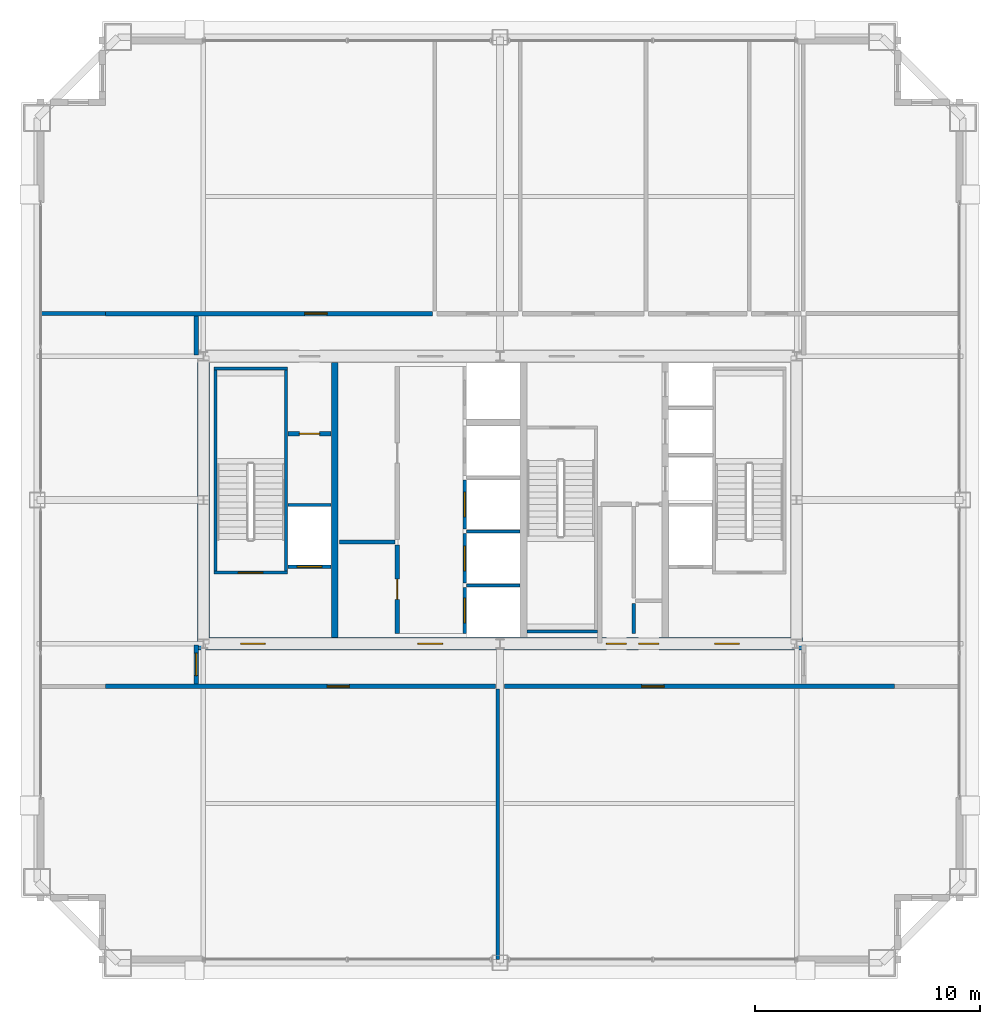
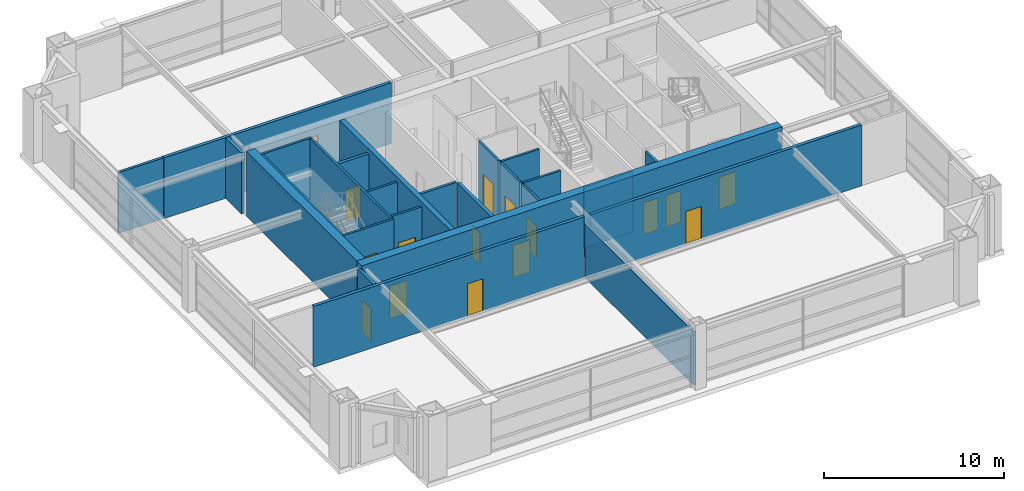
# One storey, part 23 of 26: 26 walls, 16 doors, 16 openings.
"""IFC4 building model written with IfcOpenShell, lengths in metres."""

import ifcopenshell
import ifcopenshell.guid

model = None  # the IFC model being written
_history = None  # IfcOwnerHistory: only IFC2X3 demands one
_inside = {}  # id of a spatial element -> (the spatial element, [elements in it])
_under = {}  # id of a project, library or spatial element -> (it, [spatial elements below it])
_declared = {}  # id of a project -> (the project, [libraries it declares])
_typed = {}  # id of a type object -> (the type object, [elements of that type])
_made_of = {}  # id of a material, layer set ... -> (it, [elements and type objects made of it])


def new_model(schema):
    """Start an empty IFC model of exactly this schema.

    Asked for "IFC4X3", IfcOpenShell would pick the latest addendum, in which some entities
    have other attributes; the version numbers below select the first issue.
    IFC2X3 requires an IfcOwnerHistory on every rooted entity: one is made here for all.
    """
    global model, _history
    if schema == "IFC4X3":
        model = ifcopenshell.file(schema_version=(4, 3, 0, 0))
    else:
        model = ifcopenshell.file(schema=schema)
    _inside.clear()
    _under.clear()
    _declared.clear()
    _typed.clear()
    _made_of.clear()
    _history = None
    if model.schema == "IFC2X3":
        org = make("IfcOrganization", Name="unknown")
        user = make(
            "IfcPersonAndOrganization",
            ThePerson=make("IfcPerson", FamilyName="unknown"),
            TheOrganization=org,
        )
        app = make(
            "IfcApplication",
            ApplicationDeveloper=org,
            Version="unknown",
            ApplicationFullName="unknown",
            ApplicationIdentifier="unknown",
        )
        _history = make(
            "IfcOwnerHistory",
            OwningUser=user,
            OwningApplication=app,
            ChangeAction="ADDED",
            CreationDate=0,
        )
    return model


def make(cls, **values):
    """One entity of the class cls with the attributes given. An attribute that is None is left unset."""
    return model.create_entity(
        cls, **{name: value for name, value in values.items() if value is not None}
    )


def rooted(cls, **values):
    """An entity with a GlobalId (a new one), such as an element, a storey or a relation."""
    return make(cls, GlobalId=ifcopenshell.guid.new(), OwnerHistory=_history, **values)


def si_unit(unit_type, name, prefix=None):
    """IfcSIUnit, for example si_unit("LENGTHUNIT", "METRE", prefix="MILLI")."""
    return make("IfcSIUnit", UnitType=unit_type, Prefix=prefix, Name=name)


def assignment(units):
    """IfcUnitAssignment: the units of a project."""
    return None if units is None else make("IfcUnitAssignment", Units=units)


def point(xyz):
    """IfcCartesianPoint."""
    return None if xyz is None else make("IfcCartesianPoint", Coordinates=xyz)


def direction(xyz):
    """IfcDirection."""
    return None if xyz is None else make("IfcDirection", DirectionRatios=xyz)


def frame(location, z_axis=None, x_axis=None):
    """IfcAxis2Placement3D, a coordinate frame: its origin and axes. An axis left out is left unset."""
    return make(
        "IfcAxis2Placement3D",
        Location=point(location),
        Axis=direction(z_axis),
        RefDirection=direction(x_axis),
    )


def frame_2d(location, x_axis=None):
    """IfcAxis2Placement2D, a coordinate frame in the plane: its origin and x axis."""
    return make(
        "IfcAxis2Placement2D", Location=point(location), RefDirection=direction(x_axis)
    )


def origin():
    """The frame at (0, 0, 0) with its axes left unset."""
    return frame((0.0, 0.0, 0.0))


def place(relative_to, where):
    """IfcLocalPlacement: puts the frame where relative to a parent placement (None: the world)."""
    return make(
        "IfcLocalPlacement", PlacementRelTo=relative_to, RelativePlacement=where
    )


def context(
    kind, dimensions, precision=None, world=None, true_north=None, identifier=None
):
    """IfcGeometricRepresentationContext, for example the 3D "Model" context."""
    return make(
        "IfcGeometricRepresentationContext",
        ContextIdentifier=identifier,
        ContextType=kind,
        CoordinateSpaceDimension=dimensions,
        Precision=precision,
        WorldCoordinateSystem=world,
        TrueNorth=true_north,
    )


def subcontext(parent, identifier, kind, view, scale=None):
    """IfcGeometricRepresentationSubContext, for example "Body" below "Model"."""
    return make(
        "IfcGeometricRepresentationSubContext",
        ContextIdentifier=identifier,
        ContextType=kind,
        ParentContext=parent,
        TargetScale=scale,
        TargetView=view,
    )


def project(units=None, contexts=None):
    """IfcProject with its units and contexts."""
    return rooted(
        "IfcProject",
        Name="project",
        RepresentationContexts=contexts,
        UnitsInContext=assignment(units),
    )


def spatial(cls, under=None, at=None, **own):
    """A site, building, storey or space (cls), placed at a placement, below another one or the project."""
    s = rooted(cls, ObjectPlacement=at, **own)
    if under is not None:
        _under.setdefault(under.id(), (under, []))[1].append(s)
    return s


def profile(cls, at=None, kind="AREA", **sizes):
    """A parametric profile (cls). Its sizes go by their IFC names, for example OverallWidth=200.0."""
    return make(cls, ProfileType=kind, Position=at, **sizes)


def rectangle(**sizes):
    """IfcRectangleProfileDef."""
    return profile("IfcRectangleProfileDef", **sizes)


def extrude(swept, where, along, depth):
    """IfcExtrudedAreaSolid: the profile swept, set in the frame where, extruded along a direction by depth."""
    return make(
        "IfcExtrudedAreaSolid",
        SweptArea=swept,
        Position=where,
        ExtrudedDirection=direction(along),
        Depth=depth,
    )


def shape(context_of_items, identifier, shape_type, items):
    """IfcShapeRepresentation: the items that make up one representation, for example the "Body"."""
    return make(
        "IfcShapeRepresentation",
        ContextOfItems=context_of_items,
        RepresentationIdentifier=identifier,
        RepresentationType=shape_type,
        Items=items,
    )


def source(mapping_origin, context_of_items, identifier, shape_type, items):
    """IfcRepresentationMap: a shape defined once, which mapped items show again and again."""
    return make(
        "IfcRepresentationMap",
        MappingOrigin=mapping_origin,
        MappedRepresentation=shape(context_of_items, identifier, shape_type, items),
    )


def transform(
    local_origin,
    x_axis=None,
    y_axis=None,
    z_axis=None,
    scale=None,
    scale2=None,
    scale3=None,
    uniform=True,
):
    """IfcCartesianTransformationOperator3D, or its non-uniform kind. x_axis, y_axis, z_axis: its Axis1, 2, 3."""
    if uniform:
        return make(
            "IfcCartesianTransformationOperator3D",
            Axis1=direction(x_axis),
            Axis2=direction(y_axis),
            LocalOrigin=point(local_origin),
            Scale=scale,
            Axis3=direction(z_axis),
        )
    return make(
        "IfcCartesianTransformationOperator3DnonUniform",
        Axis1=direction(x_axis),
        Axis2=direction(y_axis),
        LocalOrigin=point(local_origin),
        Scale=scale,
        Axis3=direction(z_axis),
        Scale2=scale2,
        Scale3=scale3,
    )


def mapped(mapping_source, mapping_target):
    """IfcMappedItem: shows the shape of a source again, moved by a transform."""
    return make(
        "IfcMappedItem", MappingSource=mapping_source, MappingTarget=mapping_target
    )


def material(Name=None, Category=None):
    """IfcMaterial."""
    return make("IfcMaterial", Name=Name, Category=Category)


def layer(
    of_material, thickness, ventilated=None, Name=None, Category=None, Priority=None
):
    """IfcMaterialLayer: one layer of a wall or slab, of a material (None: an air gap)."""
    return make(
        "IfcMaterialLayer",
        Material=of_material,
        LayerThickness=thickness,
        IsVentilated=ventilated,
        Name=Name,
        Category=Category,
        Priority=Priority,
    )


def layer_set(layers, Name=None):
    """IfcMaterialLayerSet."""
    return make("IfcMaterialLayerSet", MaterialLayers=layers, LayerSetName=Name)


def made_of(thing, what):
    """Note that an element or type object is made of a material, layer set ...; save() writes the relation."""
    if what is not None:
        _made_of.setdefault(what.id(), (what, []))[1].append(thing)
    return thing


def type_object(cls, material=None, **own):
    """A type object (cls), such as IfcWallType, which elements share."""
    return made_of(rooted(cls, **own), material)


def element(
    cls,
    number,
    at=None,
    inside=None,
    cuts=None,
    type_object=None,
    material=None,
    context=None,
    identifier="Body",
    shape_type=None,
    held_by="IfcProductDefinitionShape",
    body=None,
    shapes=None,
    **own,
):
    """One element of the class cls, such as IfcWall. Its Tag is "e" and its number.

    at: its placement. inside: the storey or other place that contains it. cuts: it is an
    opening in that element (IfcRelVoidsElement). A single representation is given by context,
    identifier, shape_type and body (its items); several are given by shapes. held_by: the class
    of the entity that holds the representations. save() writes the other relations.
    """
    e = rooted(cls, Tag="e%d" % number, ObjectPlacement=at, **own)
    if body is not None:
        shapes = [shape(context, identifier, shape_type, body)]
    if shapes is not None:
        e.Representation = make(held_by, Representations=shapes)
    if inside is not None:
        _inside.setdefault(inside.id(), (inside, []))[1].append(e)
    if cuts is not None:
        rooted(
            "IfcRelVoidsElement", RelatingBuildingElement=cuts, RelatedOpeningElement=e
        )
    if type_object is not None:
        _typed.setdefault(type_object.id(), (type_object, []))[1].append(e)
    return made_of(e, material)


def fill(opening, filler):
    """IfcRelFillsElement: the door or window that sits in an opening."""
    return rooted(
        "IfcRelFillsElement",
        RelatingOpeningElement=opening,
        RelatedBuildingElement=filler,
    )


def aggregate(whole, parts):
    """IfcRelAggregates: a whole, such as a stair, and the parts it consists of."""
    return rooted("IfcRelAggregates", RelatingObject=whole, RelatedObjects=parts)


def save(model, path):
    """Write the relations noted so far, then the file.

    IfcRelAggregates (storeys below a building ...), IfcRelContainedInSpatialStructure (elements
    in a storey), IfcRelDefinesByType, IfcRelAssociatesMaterial and IfcRelDeclares: one each for
    every whole, place, type object, material and project.
    """
    for whole, parts in _under.values():
        aggregate(whole, parts)
    for where, things in _inside.values():
        rooted(
            "IfcRelContainedInSpatialStructure",
            RelatedElements=things,
            RelatingStructure=where,
        )
    for kind, things in _typed.values():
        rooted("IfcRelDefinesByType", RelatedObjects=things, RelatingType=kind)
    for what, things in _made_of.values():
        rooted("IfcRelAssociatesMaterial", RelatedObjects=things, RelatingMaterial=what)
    for by, libraries in _declared.values():
        rooted("IfcRelDeclares", RelatingContext=by, RelatedDefinitions=libraries)
    model.write(path)


model = new_model("IFC4")

# Units and contexts
model_context = context("Model", 3, precision=1e-05, world=origin(), true_north=direction((0.0, 1.0)))
body_context = subcontext(model_context, "Body", "Model", "MODEL_VIEW")
ifc_project = project(units=[si_unit("LENGTHUNIT", "METRE"), si_unit("AREAUNIT", "SQUARE_METRE"), si_unit("VOLUMEUNIT", "CUBIC_METRE"), si_unit("PLANEANGLEUNIT", "RADIAN"), si_unit("MASSUNIT", "GRAM", prefix="KILO"), si_unit("THERMODYNAMICTEMPERATUREUNIT", "KELVIN"), si_unit("POWERUNIT", "WATT")], contexts=[model_context])

# Site, building, storey
site_placement = place(None, origin())
site = spatial("IfcSite", under=ifc_project, at=site_placement, CompositionType="ELEMENT")
building_placement = place(site_placement, origin())
building = spatial("IfcBuilding", under=site, at=building_placement, Name="Yuzanri Waterfront Tower", CompositionType="ELEMENT")
storey_placement = place(building_placement, frame((0.0, 0.0, 259.10009765625)))
storey = spatial("IfcBuildingStorey", under=building, at=storey_placement, Name="L69", CompositionType="ELEMENT", Elevation=259.10009765625)

# Wall, openings, doors
ifc_material_1 = material(Name="Concrete C50", Category="concrete")
ifc_layer_1 = layer(ifc_material_1, 0.550048828125)
ifc_layer_set_1 = layer_set([ifc_layer_1], Name="Concrete C50")
wall_type_1 = type_object("IfcWallType", Name="Concrete C50 Upper-Mid Zone Core Shear Wall 550", PredefinedType="SHEAR", material=ifc_layer_set_1)
wall_1_placement = place(storey_placement, frame((23.52490234375, 19.39990234375, 0.0), z_axis=(0.0, 0.0, 1.0), x_axis=(1.0, 0.0, 0.0)))
wall_1 = element("IfcWall", 1, at=wall_1_placement, inside=storey, type_object=wall_type_1, Name="L69 Core South Shear Wall", PredefinedType="SHEAR", context=body_context, shape_type="SweptSolid", body=[
    extrude(rectangle(XDim=26.9501953125, YDim=0.550048828125, at=frame_2d((13.47509765625, 0.0))), origin(), (0.0, 0.0, 1.0), 4.39990234375),
])
opening_1_placement = place(wall_1_placement, frame((1.925048828125, 0.0, 0.0)))
opening_1 = element("IfcOpeningElement", 2, at=opening_1_placement, cuts=wall_1, Name="Opening FD-1100", PredefinedType="OPENING", context=body_context, shape_type="SweptSolid", body=[
    extrude(rectangle(XDim=1.10009765625, YDim=2.199951171875, at=frame_2d((0.550048828125, 1.10009765625))), frame((0.0, 0.2900390625, 0.0), z_axis=(0.0, -1.0, 0.0), x_axis=(1.0, 0.0, 0.0)), (0.0, 0.0, 1.0), 0.579833984375),
])
opening_2_placement = place(wall_1_placement, frame((9.824951171875, 0.0, 0.0)))
opening_2 = element("IfcOpeningElement", 3, at=opening_2_placement, cuts=wall_1, Name="Opening FD-1100", PredefinedType="OPENING", context=body_context, shape_type="SweptSolid", body=[
    extrude(rectangle(XDim=1.10009765625, YDim=2.199951171875, at=frame_2d((0.550048828125, 1.10009765625))), frame((0.0, 0.2900390625, 0.0), z_axis=(0.0, -1.0, 0.0), x_axis=(1.0, 0.0, 0.0)), (0.0, 0.0, 1.0), 0.579833984375),
])
opening_3_placement = place(wall_1_placement, frame((23.02490234375, 0.0, 0.0)))
opening_3 = element("IfcOpeningElement", 4, at=opening_3_placement, cuts=wall_1, Name="Opening FD-1100", PredefinedType="OPENING", context=body_context, shape_type="SweptSolid", body=[
    extrude(rectangle(XDim=1.10009765625, YDim=2.199951171875, at=frame_2d((0.550048828125, 1.10009765625))), frame((0.0, 0.2900390625, 0.0), z_axis=(0.0, -1.0, 0.0), x_axis=(1.0, 0.0, 0.0)), (0.0, 0.0, 1.0), 0.579833984375),
])
opening_4_placement = place(wall_1_placement, frame((19.64501953125, 0.0, 0.0)))
opening_4 = element("IfcOpeningElement", 5, at=opening_4_placement, cuts=wall_1, Name="Opening FD-0900", PredefinedType="OPENING", context=body_context, shape_type="SweptSolid", body=[
    extrude(rectangle(XDim=0.89990234375, YDim=2.14990234375, at=frame_2d((0.449951171875, 1.074951171875))), frame((0.0, 0.2900390625, 0.0), z_axis=(0.0, -1.0, 0.0), x_axis=(1.0, 0.0, 0.0)), (0.0, 0.0, 1.0), 0.579833984375),
])
opening_5_placement = place(wall_1_placement, frame((18.205078125, 0.0, 0.0)))
opening_5 = element("IfcOpeningElement", 6, at=opening_5_placement, cuts=wall_1, Name="Opening FD-0900", PredefinedType="OPENING", context=body_context, shape_type="SweptSolid", body=[
    extrude(rectangle(XDim=0.89990234375, YDim=2.14990234375, at=frame_2d((0.449951171875, 1.074951171875))), frame((0.0, 0.2900390625, 0.0), z_axis=(0.0, -1.0, 0.0), x_axis=(1.0, 0.0, 0.0)), (0.0, 0.0, 1.0), 0.579833984375),
])
ifc_material_2 = material(Name="Painted Galvanized Fire Steel", Category="steel")
door_type_1 = type_object("IfcDoorType", Name="Smoke-Proof Stair and Lobby Fire Door 1100x2200", OperationType="NOTDEFINED", PredefinedType="DOOR", material=ifc_material_2)
shared_shape_1 = source(origin(), body_context, "Body", "SweptSolid", [
    extrude(rectangle(XDim=1.10009765625, YDim=2.199951171875, at=frame_2d((0.550048828125, 1.10009765625))), frame((0.0, 0.02490234375, 0.0), z_axis=(0.0, -1.0, 0.0), x_axis=(1.0, 0.0, 0.0)), (0.0, 0.0, 1.0), 0.050048828125),
])
door_1_placement = place(opening_1_placement, origin())
door_1 = element("IfcDoor", 7, at=door_1_placement, inside=storey, type_object=door_type_1, Name="L69 West Firefighting Lobby Door", OperationType="SINGLE_SWING_RIGHT", OverallHeight=2.199951171875, OverallWidth=1.10009765625, PredefinedType="DOOR", context=body_context, shape_type="MappedRepresentation", body=[
    mapped(shared_shape_1, transform((0.0, 0.0, 0.0), scale=1.0)),
])
fill(opening_1, door_1)
door_2_placement = place(opening_2_placement, origin())
door_2 = element("IfcDoor", 8, at=door_2_placement, inside=storey, type_object=door_type_1, Name="L69 Central Lift Lobby South Door", OperationType="SINGLE_SWING_LEFT", OverallHeight=2.199951171875, OverallWidth=1.10009765625, PredefinedType="DOOR", context=body_context, shape_type="MappedRepresentation", body=[
    mapped(shared_shape_1, transform((0.0, 0.0, 0.0), scale=1.0)),
])
fill(opening_2, door_2)
door_3_placement = place(opening_3_placement, origin())
door_3 = element("IfcDoor", 9, at=door_3_placement, inside=storey, type_object=door_type_1, Name="L69 East Firefighting Lobby Door", OperationType="SINGLE_SWING_RIGHT", OverallHeight=2.199951171875, OverallWidth=1.10009765625, PredefinedType="DOOR", context=body_context, shape_type="MappedRepresentation", body=[
    mapped(shared_shape_1, transform((0.0, 0.0, 0.0), scale=1.0)),
])
fill(opening_3, door_3)
ifc_material_3 = material(Name="Painted Galvanized Fire Steel", Category="steel")
door_type_2 = type_object("IfcDoorType", Name="Riser and Service Room Fire Door 900x2150", OperationType="NOTDEFINED", PredefinedType="DOOR", material=ifc_material_3)
shared_shape_2 = source(origin(), body_context, "Body", "SweptSolid", [
    extrude(rectangle(XDim=0.89990234375, YDim=2.14990234375, at=frame_2d((0.449951171875, 1.074951171875))), frame((0.0, 0.02490234375, 0.0), z_axis=(0.0, -1.0, 0.0), x_axis=(1.0, 0.0, 0.0)), (0.0, 0.0, 1.0), 0.050048828125),
])
door_4_placement = place(opening_4_placement, origin())
door_4 = element("IfcDoor", 10, at=door_4_placement, inside=storey, type_object=door_type_2, Name="L69 East Wet Riser Door", OperationType="SINGLE_SWING_RIGHT", OverallHeight=2.14990234375, OverallWidth=0.89990234375, PredefinedType="DOOR", context=body_context, shape_type="MappedRepresentation", body=[
    mapped(shared_shape_2, transform((0.0, 0.0, 0.0), scale=1.0)),
])
fill(opening_4, door_4)
door_5_placement = place(opening_5_placement, origin())
door_5 = element("IfcDoor", 11, at=door_5_placement, inside=storey, type_object=door_type_2, Name="L69 Cleaners Store Room", OperationType="SINGLE_SWING_LEFT", OverallHeight=2.14990234375, OverallWidth=0.89990234375, PredefinedType="DOOR", context=body_context, shape_type="MappedRepresentation", body=[
    mapped(shared_shape_2, transform((0.0, 0.0, 0.0), scale=1.0)),
])
fill(opening_5, door_5)

# Wall, opening, door
ifc_material_4 = material(Name="Concrete C40", Category="concrete")
ifc_layer_2 = layer(ifc_material_4, 0.139892578125)
ifc_layer_set_2 = layer_set([ifc_layer_2], Name="Concrete C40")
wall_type_2 = type_object("IfcWallType", Name="Core Stair Liner and Hoistway Shaft Wall 140", PredefinedType="SOLIDWALL", material=ifc_layer_set_2)
wall_2_placement = place(storey_placement, frame((27.56005859375, 22.830078125, 0.0), z_axis=(0.0, 0.0, 1.0), x_axis=(1.0, 0.0, 0.0)))
wall_2 = element("IfcWall", 12, at=wall_2_placement, inside=storey, type_object=wall_type_2, Name="L69 Lift FL-01 Front Shaft Wall", PredefinedType="SOLIDWALL", context=body_context, shape_type="SweptSolid", body=[
    extrude(rectangle(XDim=1.919921875, YDim=0.139892578125, at=frame_2d((0.9599609375, 0.0))), origin(), (0.0, 0.0, 1.0), 4.119873046875),
])
opening_6_placement = place(wall_2_placement, frame((0.409912109375, 0.0, 0.0)))
opening_6 = element("IfcOpeningElement", 13, at=opening_6_placement, cuts=wall_2, Name="Opening LD-FL-01", PredefinedType="OPENING", context=body_context, shape_type="SweptSolid", body=[
    extrude(rectangle(XDim=1.10009765625, YDim=2.199951171875, at=frame_2d((0.550048828125, 1.10009765625))), frame((0.0, 0.0849609375, 0.0), z_axis=(0.0, -1.0, 0.0), x_axis=(1.0, 0.0, 0.0)), (0.0, 0.0, 1.0), 0.169677734375),
])
ifc_material_5 = material(Name="Brushed Bronze and Stainless Steel Cab", Category="steel")
door_type_3 = type_object("IfcDoorType", Name="Center-Parting Bronze Lift Landing Sliding Door 1100x2200", OperationType="NOTDEFINED", PredefinedType="DOOR", material=ifc_material_5)
shared_shape_3 = source(origin(), body_context, "Body", "SweptSolid", [
    extrude(rectangle(XDim=1.10009765625, YDim=2.199951171875, at=frame_2d((0.550048828125, 1.10009765625))), frame((0.0, 0.02490234375, 0.0), z_axis=(0.0, -1.0, 0.0), x_axis=(1.0, 0.0, 0.0)), (0.0, 0.0, 1.0), 0.050048828125),
])
door_6_placement = place(opening_6_placement, origin())
door_6 = element("IfcDoor", 14, at=door_6_placement, inside=storey, type_object=door_type_3, Name="L69 FL-01 Lift Landing Sliding Door", OperationType="SLIDING_TO_LEFT", OverallHeight=2.199951171875, OverallWidth=1.10009765625, PredefinedType="DOOR", context=body_context, shape_type="MappedRepresentation", body=[
    mapped(shared_shape_3, transform((0.0, 0.0, 0.0), scale=1.0)),
])
fill(opening_6, door_6)

wall_3_placement = place(storey_placement, frame((35.429931640625, 19.860107421875, 0.0), z_axis=(0.0, 0.0, 1.0), x_axis=(0.0, 1.0, 0.0)))
wall_3 = element("IfcWall", 15, at=wall_3_placement, inside=storey, type_object=wall_type_2, Name="L69 Lift PL-05 Front Shaft Wall", PredefinedType="SOLIDWALL", context=body_context, shape_type="SweptSolid", body=[
    extrude(rectangle(XDim=2.039794921875, YDim=0.139892578125, at=frame_2d((1.02001953125, 0.0))), origin(), (0.0, 0.0, 1.0), 4.119873046875),
])
opening_7_placement = place(wall_3_placement, frame((0.469970703125, 0.0, 0.0)))
opening_7 = element("IfcOpeningElement", 16, at=opening_7_placement, cuts=wall_3, Name="Opening LD-PL-05", PredefinedType="OPENING", context=body_context, shape_type="SweptSolid", body=[
    extrude(rectangle(XDim=1.10009765625, YDim=2.199951171875, at=frame_2d((0.550048828125, 1.10009765625))), frame((0.0, 0.0849609375, 0.0), z_axis=(0.0, -1.0, 0.0), x_axis=(1.0, 0.0, 0.0)), (0.0, 0.0, 1.0), 0.169677734375),
])
door_7_placement = place(opening_7_placement, origin())
door_7 = element("IfcDoor", 17, at=door_7_placement, inside=storey, type_object=door_type_3, Name="L69 PL-05 Lift Landing Sliding Door", OperationType="SLIDING_TO_RIGHT", OverallHeight=2.199951171875, OverallWidth=1.10009765625, PredefinedType="DOOR", context=body_context, shape_type="MappedRepresentation", body=[
    mapped(shared_shape_3, transform((0.0, 0.0, 0.0), scale=1.0)),
])
fill(opening_7, door_7)

wall_4_placement = place(storey_placement, frame((35.429931640625, 22.10009765625, 0.0), z_axis=(0.0, 0.0, 1.0), x_axis=(0.0, 1.0, 0.0)))
wall_4 = element("IfcWall", 18, at=wall_4_placement, inside=storey, type_object=wall_type_2, Name="L69 Lift PL-06 Front Shaft Wall", PredefinedType="SOLIDWALL", context=body_context, shape_type="SweptSolid", body=[
    extrude(rectangle(XDim=2.199951171875, YDim=0.139892578125, at=frame_2d((1.10009765625, 0.0))), origin(), (0.0, 0.0, 1.0), 4.119873046875),
])
opening_8_placement = place(wall_4_placement, frame((0.550048828125, 0.0, 0.0)))
opening_8 = element("IfcOpeningElement", 19, at=opening_8_placement, cuts=wall_4, Name="Opening LD-PL-06", PredefinedType="OPENING", context=body_context, shape_type="SweptSolid", body=[
    extrude(rectangle(XDim=1.10009765625, YDim=2.199951171875, at=frame_2d((0.550048828125, 1.10009765625))), frame((0.0, 0.0849609375, 0.0), z_axis=(0.0, -1.0, 0.0), x_axis=(1.0, 0.0, 0.0)), (0.0, 0.0, 1.0), 0.169677734375),
])
door_8_placement = place(opening_8_placement, origin())
door_8 = element("IfcDoor", 20, at=door_8_placement, inside=storey, type_object=door_type_3, Name="L69 PL-06 Lift Landing Sliding Door", OperationType="SLIDING_TO_LEFT", OverallHeight=2.199951171875, OverallWidth=1.10009765625, PredefinedType="DOOR", context=body_context, shape_type="MappedRepresentation", body=[
    mapped(shared_shape_3, transform((0.0, 0.0, 0.0), scale=1.0)),
])
fill(opening_8, door_8)

wall_5_placement = place(storey_placement, frame((35.429931640625, 24.5, 0.0), z_axis=(0.0, 0.0, 1.0), x_axis=(0.0, 1.0, 0.0)))
wall_5 = element("IfcWall", 21, at=wall_5_placement, inside=storey, type_object=wall_type_2, Name="L69 Lift PL-07 Front Shaft Wall", PredefinedType="SOLIDWALL", context=body_context, shape_type="SweptSolid", body=[
    extrude(rectangle(XDim=2.199951171875, YDim=0.139892578125, at=frame_2d((1.10009765625, 0.0))), origin(), (0.0, 0.0, 1.0), 4.119873046875),
])
opening_9_placement = place(wall_5_placement, frame((0.550048828125, 0.0, 0.0)))
opening_9 = element("IfcOpeningElement", 22, at=opening_9_placement, cuts=wall_5, Name="Opening LD-PL-07", PredefinedType="OPENING", context=body_context, shape_type="SweptSolid", body=[
    extrude(rectangle(XDim=1.10009765625, YDim=2.199951171875, at=frame_2d((0.550048828125, 1.10009765625))), frame((0.0, 0.0849609375, 0.0), z_axis=(0.0, -1.0, 0.0), x_axis=(1.0, 0.0, 0.0)), (0.0, 0.0, 1.0), 0.169677734375),
])
door_9_placement = place(opening_9_placement, origin())
door_9 = element("IfcDoor", 23, at=door_9_placement, inside=storey, type_object=door_type_3, Name="L69 PL-07 Lift Landing Sliding Door", OperationType="SLIDING_TO_RIGHT", OverallHeight=2.199951171875, OverallWidth=1.10009765625, PredefinedType="DOOR", context=body_context, shape_type="MappedRepresentation", body=[
    mapped(shared_shape_3, transform((0.0, 0.0, 0.0), scale=1.0)),
])
fill(opening_9, door_9)

wall_6_placement = place(storey_placement, frame((24.260009765625, 22.570068359375, 0.0), z_axis=(0.0, 0.0, 1.0), x_axis=(1.0, 0.0, 0.0)))
wall_6 = element("IfcWall", 24, at=wall_6_placement, inside=storey, type_object=wall_type_2, Name="L69 Shaft Wall STW-L69-ST-01-S", PredefinedType="SOLIDWALL", context=body_context, shape_type="SweptSolid", body=[
    extrude(rectangle(XDim=3.280029296875, YDim=0.139892578125, at=frame_2d((1.64013671875, 0.0))), origin(), (0.0, 0.0, 1.0), 4.119873046875),
])
opening_10_placement = place(wall_6_placement, frame((1.090087890625, 0.0, 0.0)))
opening_10 = element("IfcOpeningElement", 25, at=opening_10_placement, cuts=wall_6, Name="Opening FD-1100", PredefinedType="OPENING", context=body_context, shape_type="SweptSolid", body=[
    extrude(rectangle(XDim=1.10009765625, YDim=2.199951171875, at=frame_2d((0.550048828125, 1.10009765625))), frame((0.0, 0.0849609375, 0.0), z_axis=(0.0, -1.0, 0.0), x_axis=(1.0, 0.0, 0.0)), (0.0, 0.0, 1.0), 0.169677734375),
])
door_10_placement = place(opening_10_placement, origin())
door_10 = element("IfcDoor", 26, at=door_10_placement, inside=storey, type_object=door_type_1, Name="L69 Stair ST-01 Fire Door", OperationType="SINGLE_SWING_LEFT", OverallHeight=2.199951171875, OverallWidth=1.10009765625, PredefinedType="DOOR", context=body_context, shape_type="MappedRepresentation", body=[
    mapped(shared_shape_1, transform((0.0, 0.0, 0.0), scale=1.0)),
])
fill(opening_10, door_10)

ifc_material_6 = material(Name="Autoclaved Aerated Concrete Blockwork", Category="masonry")
ifc_layer_3 = layer(ifc_material_6, 0.199951171875)
ifc_layer_set_3 = layer_set([ifc_layer_3], Name="Autoclaved Aerated Concrete Blockwork")
wall_type_3 = type_object("IfcWallType", Name="Corridor and Unit Party Fire Wall 200", PredefinedType="PARTITIONING", material=ifc_layer_set_3)
wall_7_placement = place(storey_placement, frame((27.56005859375, 28.75, 0.0), z_axis=(0.0, 0.0, 1.0), x_axis=(1.0, 0.0, 0.0)))
wall_7 = element("IfcWall", 27, at=wall_7_placement, inside=storey, type_object=wall_type_3, Name="L69 Partition CRW-L69-ERTR", PredefinedType="PARTITIONING", context=body_context, shape_type="SweptSolid", body=[
    extrude(rectangle(XDim=1.919921875, YDim=0.199951171875, at=frame_2d((0.9599609375, 0.0))), origin(), (0.0, 0.0, 1.0), 4.119873046875),
])
opening_11_placement = place(wall_7_placement, frame((0.510009765625, 0.0, 0.0)))
opening_11 = element("IfcOpeningElement", 28, at=opening_11_placement, cuts=wall_7, Name="Opening FD-0900", PredefinedType="OPENING", context=body_context, shape_type="SweptSolid", body=[
    extrude(rectangle(XDim=0.89990234375, YDim=2.14990234375, at=frame_2d((0.449951171875, 1.074951171875))), frame((0.0, 0.11474609375, 0.0), z_axis=(0.0, -1.0, 0.0), x_axis=(1.0, 0.0, 0.0)), (0.0, 0.0, 1.0), 0.229736328125),
])
door_11_placement = place(opening_11_placement, origin())
door_11 = element("IfcDoor", 29, at=door_11_placement, inside=storey, type_object=door_type_2, Name="L69 Electrical Riser Door", OperationType="SINGLE_SWING_LEFT", OverallHeight=2.14990234375, OverallWidth=0.89990234375, PredefinedType="DOOR", context=body_context, shape_type="MappedRepresentation", body=[
    mapped(shared_shape_2, transform((0.0, 0.0, 0.0), scale=1.0)),
])
fill(opening_11, door_11)

wall_8_placement = place(storey_placement, frame((32.419921875, 19.860107421875, 0.0), z_axis=(0.0, 0.0, 1.0), x_axis=(0.0, 1.0, 0.0)))
wall_8 = element("IfcWall", 30, at=wall_8_placement, inside=storey, type_object=wall_type_3, Name="L69 Partition CRW-L69-B1R-1", PredefinedType="PARTITIONING", context=body_context, shape_type="SweptSolid", body=[
    extrude(rectangle(XDim=3.93994140625, YDim=0.199951171875, at=frame_2d((1.969970703125, 0.0))), origin(), (0.0, 0.0, 1.0), 4.119873046875),
])
opening_12_placement = place(wall_8_placement, frame((1.52001953125, 0.0, 0.0)))
opening_12 = element("IfcOpeningElement", 31, at=opening_12_placement, cuts=wall_8, Name="Opening FD-0900", PredefinedType="OPENING", context=body_context, shape_type="SweptSolid", body=[
    extrude(rectangle(XDim=0.89990234375, YDim=2.14990234375, at=frame_2d((0.449951171875, 1.074951171875))), frame((0.0, 0.11474609375, 0.0), z_axis=(0.0, -1.0, 0.0), x_axis=(1.0, 0.0, 0.0)), (0.0, 0.0, 1.0), 0.229736328125),
])
door_12_placement = place(opening_12_placement, origin())
door_12 = element("IfcDoor", 32, at=door_12_placement, inside=storey, type_object=door_type_2, Name="L69 Janitor Supply Store Room", OperationType="SINGLE_SWING_RIGHT", OverallHeight=2.14990234375, OverallWidth=0.89990234375, PredefinedType="DOOR", context=body_context, shape_type="MappedRepresentation", body=[
    mapped(shared_shape_2, transform((0.0, 0.0, 0.0), scale=1.0)),
])
fill(opening_12, door_12)

wall_9_placement = place(storey_placement, frame((19.43994140625, 17.5, 0.0), z_axis=(0.0, 0.0, 1.0), x_axis=(1.0, 0.0, 0.0)))
wall_9 = element("IfcWall", 33, at=wall_9_placement, inside=storey, type_object=wall_type_3, Name="L69 Partition SLW-L69-018-N", PredefinedType="PARTITIONING", context=body_context, shape_type="SweptSolid", body=[
    extrude(rectangle(XDim=17.360107421875, YDim=0.199951171875, at=frame_2d((8.68017578125, 0.0))), origin(), (0.0, 0.0, 1.0), 4.119873046875),
])
opening_13_placement = place(wall_9_placement, frame((9.860107421875, 0.0, 0.0)))
opening_13 = element("IfcOpeningElement", 34, at=opening_13_placement, cuts=wall_9, Name="Opening FD-1000", PredefinedType="OPENING", context=body_context, shape_type="SweptSolid", body=[
    extrude(rectangle(XDim=1.0, YDim=2.199951171875, at=frame_2d((0.5, 1.10009765625))), frame((0.0, 0.11474609375, 0.0), z_axis=(0.0, -1.0, 0.0), x_axis=(1.0, 0.0, 0.0)), (0.0, 0.0, 1.0), 0.229736328125),
])
ifc_material_7 = material(Name="Engineered Oak Fire-Rated Timber", Category="wood")
door_type_4 = type_object("IfcDoorType", Name="Guestroom and Apartment Entrance Fire Door 1000x2200", OperationType="NOTDEFINED", PredefinedType="DOOR", material=ifc_material_7)
shared_shape_4 = source(origin(), body_context, "Body", "SweptSolid", [
    extrude(rectangle(XDim=1.0, YDim=2.199951171875, at=frame_2d((0.5, 1.10009765625))), frame((0.0, 0.02490234375, 0.0), z_axis=(0.0, -1.0, 0.0), x_axis=(1.0, 0.0, 0.0)), (0.0, 0.0, 1.0), 0.050048828125),
])
door_13_placement = place(opening_13_placement, origin())
door_13 = element("IfcDoor", 35, at=door_13_placement, inside=storey, type_object=door_type_4, Name="L69 Residential Sky Lobby", OperationType="SINGLE_SWING_LEFT", OverallHeight=2.199951171875, OverallWidth=1.0, PredefinedType="DOOR", context=body_context, shape_type="MappedRepresentation", body=[
    mapped(shared_shape_4, transform((0.0, 0.0, 0.0), scale=1.0)),
])
fill(opening_13, door_13)

wall_10_placement = place(storey_placement, frame((37.199951171875, 17.5, 0.0), z_axis=(0.0, 0.0, 1.0), x_axis=(1.0, 0.0, 0.0)))
wall_10 = element("IfcWall", 36, at=wall_10_placement, inside=storey, type_object=wall_type_3, Name="L69 Partition SLW-L69-019-N", PredefinedType="PARTITIONING", context=body_context, shape_type="SweptSolid", body=[
    extrude(rectangle(XDim=17.360107421875, YDim=0.199951171875, at=frame_2d((8.68017578125, 0.0))), origin(), (0.0, 0.0, 1.0), 4.119873046875),
])
opening_14_placement = place(wall_10_placement, frame((6.10009765625, 0.0, 0.0)))
opening_14 = element("IfcOpeningElement", 37, at=opening_14_placement, cuts=wall_10, Name="Opening FD-1000", PredefinedType="OPENING", context=body_context, shape_type="SweptSolid", body=[
    extrude(rectangle(XDim=1.0, YDim=2.199951171875, at=frame_2d((0.5, 1.10009765625))), frame((0.0, 0.11474609375, 0.0), z_axis=(0.0, -1.0, 0.0), x_axis=(1.0, 0.0, 0.0)), (0.0, 0.0, 1.0), 0.229736328125),
])
door_14_placement = place(opening_14_placement, origin())
door_14 = element("IfcDoor", 38, at=door_14_placement, inside=storey, type_object=door_type_4, Name="L69 Residents Private Club Room", OperationType="SINGLE_SWING_RIGHT", OverallHeight=2.199951171875, OverallWidth=1.0, PredefinedType="DOOR", context=body_context, shape_type="MappedRepresentation", body=[
    mapped(shared_shape_4, transform((0.0, 0.0, 0.0), scale=1.0)),
])
fill(opening_14, door_14)

wall_11_placement = place(storey_placement, frame((23.47998046875, 17.610107421875, 0.0), z_axis=(0.0, 0.0, 1.0), x_axis=(0.0, 1.0, 0.0)))
wall_11 = element("IfcWall", 39, at=wall_11_placement, inside=storey, type_object=wall_type_3, Name="L69 Partition SLW-L69-020-EC", PredefinedType="PARTITIONING", context=body_context, shape_type="SweptSolid", body=[
    extrude(rectangle(XDim=1.739990234375, YDim=0.199951171875, at=frame_2d((0.8701171875, 0.0))), origin(), (0.0, 0.0, 1.0), 4.119873046875),
])
opening_15_placement = place(wall_11_placement, frame((0.3701171875, 0.0, 0.0)))
opening_15 = element("IfcOpeningElement", 40, at=opening_15_placement, cuts=wall_11, Name="Opening FD-1000", PredefinedType="OPENING", context=body_context, shape_type="SweptSolid", body=[
    extrude(rectangle(XDim=1.0, YDim=2.199951171875, at=frame_2d((0.5, 1.10009765625))), frame((0.0, 0.11474609375, 0.0), z_axis=(0.0, -1.0, 0.0), x_axis=(1.0, 0.0, 0.0)), (0.0, 0.0, 1.0), 0.229736328125),
])
door_15_placement = place(opening_15_placement, origin())
door_15 = element("IfcDoor", 41, at=door_15_placement, inside=storey, type_object=door_type_4, Name="L69 Residents Library Reading Room", OperationType="SINGLE_SWING_LEFT", OverallHeight=2.199951171875, OverallWidth=1.0, PredefinedType="DOOR", context=body_context, shape_type="MappedRepresentation", body=[
    mapped(shared_shape_4, transform((0.0, 0.0, 0.0), scale=1.0)),
])
fill(opening_15, door_15)

wall_12_placement = place(storey_placement, frame((19.43994140625, 34.10009765625, 0.0), z_axis=(0.0, 0.0, 1.0), x_axis=(1.0, 0.0, 0.0)))
wall_12 = element("IfcWall", 42, at=wall_12_placement, inside=storey, type_object=wall_type_3, Name="L69 Partition SLW-L69-022-S", PredefinedType="PARTITIONING", context=body_context, shape_type="SweptSolid", body=[
    extrude(rectangle(XDim=14.56005859375, YDim=0.199951171875, at=frame_2d((7.280029296875, 0.0))), origin(), (0.0, 0.0, 1.0), 4.119873046875),
])
opening_16_placement = place(wall_12_placement, frame((8.860107421875, 0.0, 0.0)))
opening_16 = element("IfcOpeningElement", 43, at=opening_16_placement, cuts=wall_12, Name="Opening FD-1000", PredefinedType="OPENING", context=body_context, shape_type="SweptSolid", body=[
    extrude(rectangle(XDim=1.0, YDim=2.199951171875, at=frame_2d((0.5, 1.10009765625))), frame((0.0, 0.11474609375, 0.0), z_axis=(0.0, -1.0, 0.0), x_axis=(1.0, 0.0, 0.0)), (0.0, 0.0, 1.0), 0.229736328125),
])
door_16_placement = place(opening_16_placement, origin())
door_16 = element("IfcDoor", 44, at=door_16_placement, inside=storey, type_object=door_type_4, Name="L69 Private Cinema Screening Room", OperationType="SINGLE_SWING_LEFT", OverallHeight=2.199951171875, OverallWidth=1.0, PredefinedType="DOOR", context=body_context, shape_type="MappedRepresentation", body=[
    mapped(shared_shape_4, transform((0.0, 0.0, 0.0), scale=1.0)),
])
fill(opening_16, door_16)

# Walls
shared_shape_5 = source(origin(), body_context, "Body", "SweptSolid", [
    extrude(rectangle(XDim=12.25, YDim=0.550048828125, at=frame_2d((6.125, 0.0))), origin(), (0.0, 0.0, 1.0), 4.39990234375),
])
wall_13_placement = place(storey_placement, frame((23.800048828125, 19.675048828125, 0.0), z_axis=(0.0, 0.0, 1.0), x_axis=(0.0, 1.0, 0.0)))
element("IfcWall", 45, at=wall_13_placement, inside=storey, type_object=wall_type_1, Name="L69 Core West Shear Wall", PredefinedType="SHEAR", context=body_context, shape_type="MappedRepresentation", body=[
    mapped(shared_shape_5, transform((0.0, 0.0, 0.0), scale=1.0)),
])
ifc_material_8 = material(Name="Concrete C50", Category="concrete")
ifc_layer_4 = layer(ifc_material_8, 0.300048828125)
ifc_layer_set_4 = layer_set([ifc_layer_4], Name="Concrete C50")
wall_type_4 = type_object("IfcWallType", Name="Concrete C50 Internal Core Shaft Structural Wall 300", PredefinedType="SOLIDWALL", material=ifc_layer_set_4)
shared_shape_6 = source(origin(), body_context, "Body", "SweptSolid", [
    extrude(rectangle(XDim=12.25, YDim=0.300048828125, at=frame_2d((6.125, 0.0))), origin(), (0.0, 0.0, 1.0), 4.39990234375),
])
wall_14_placement = place(storey_placement, frame((29.64990234375, 19.675048828125, 0.0), z_axis=(0.0, 0.0, 1.0), x_axis=(0.0, 1.0, 0.0)))
element("IfcWall", 46, at=wall_14_placement, inside=storey, type_object=wall_type_4, Name="L69 Core Internal Structural Web Wall 1", PredefinedType="SOLIDWALL", context=body_context, shape_type="MappedRepresentation", body=[
    mapped(shared_shape_6, transform((0.0, 0.0, 0.0), scale=1.0)),
])
shared_shape_7 = source(origin(), body_context, "Body", "SweptSolid", [
    extrude(rectangle(XDim=1.919921875, YDim=0.139892578125, at=frame_2d((0.9599609375, 0.0))), origin(), (0.0, 0.0, 1.0), 4.119873046875),
])
wall_15_placement = place(storey_placement, frame((27.56005859375, 25.570068359375, 0.0), z_axis=(0.0, 0.0, 1.0), x_axis=(1.0, 0.0, 0.0)))
element("IfcWall", 47, at=wall_15_placement, inside=storey, type_object=wall_type_2, Name="L69 Lift FL-01 Back Shaft Wall", PredefinedType="SOLIDWALL", context=body_context, shape_type="MappedRepresentation", body=[
    mapped(shared_shape_7, transform((0.0, 0.0, 0.0), scale=1.0)),
])
shared_shape_8 = source(origin(), body_context, "Body", "SweptSolid", [
    extrude(rectangle(XDim=2.39990234375, YDim=0.139892578125, at=frame_2d((1.199951171875, 0.0))), origin(), (0.0, 0.0, 1.0), 4.119873046875),
])
for number, where, z_axis, x_axis, name in (
    (48, (35.5, 22.0, 0.0), (0.0, 0.0, 1.0), (1.0, 0.0, 0.0), "L69 Lift PL-05 Divider Wall"),
    (49, (35.5, 24.39990234375, 0.0), (0.0, 0.0, 1.0), (1.0, 0.0, 0.0), "L69 Lift PL-06 Divider Wall"),
):
    element("IfcWall", number, at=place(storey_placement, frame(where, z_axis=z_axis, x_axis=x_axis)), inside=storey, type_object=wall_type_2, Name=name, PredefinedType="SOLIDWALL", context=body_context, shape_type="MappedRepresentation", body=[
        mapped(shared_shape_8, transform((0.0, 0.0, 0.0), scale=1.0)),
    ])
shared_shape_9 = source(origin(), body_context, "Body", "SweptSolid", [
    extrude(rectangle(XDim=3.280029296875, YDim=0.139892578125, at=frame_2d((1.64013671875, 0.0))), origin(), (0.0, 0.0, 1.0), 4.119873046875),
])
wall_16_placement = place(storey_placement, frame((24.260009765625, 31.64990234375, 0.0), z_axis=(0.0, 0.0, 1.0), x_axis=(1.0, 0.0, 0.0)))
element("IfcWall", 50, at=wall_16_placement, inside=storey, type_object=wall_type_2, Name="L69 Stair ST-01 North Shaft Wall", PredefinedType="SOLIDWALL", context=body_context, shape_type="MappedRepresentation", body=[
    mapped(shared_shape_9, transform((0.0, 0.0, 0.0), scale=1.0)),
])
shared_shape_10 = source(origin(), body_context, "Body", "SweptSolid", [
    extrude(rectangle(XDim=8.940185546875, YDim=0.139892578125, at=frame_2d((4.47021484375, 0.0))), origin(), (0.0, 0.0, 1.0), 4.119873046875),
])
for number, where, z_axis, x_axis, name in (
    (51, (24.330078125, 22.639892578125, 0.0), (0.0, 0.0, 1.0), (0.0, 1.0, 0.0), "L69 Stair ST-01 West Shaft Wall"),
    (52, (27.469970703125, 22.639892578125, 0.0), (0.0, 0.0, 1.0), (0.0, 1.0, 0.0), "L69 Stair ST-01 East Shaft Wall"),
):
    element("IfcWall", number, at=place(storey_placement, frame(where, z_axis=z_axis, x_axis=x_axis)), inside=storey, type_object=wall_type_2, Name=name, PredefinedType="SOLIDWALL", context=body_context, shape_type="MappedRepresentation", body=[
        mapped(shared_shape_10, transform((0.0, 0.0, 0.0), scale=1.0)),
    ])
shared_shape_11 = source(origin(), body_context, "Body", "SweptSolid", [
    extrude(rectangle(XDim=3.14013671875, YDim=0.139892578125, at=frame_2d((1.570068359375, 0.0))), origin(), (0.0, 0.0, 1.0), 4.119873046875),
])
wall_17_placement = place(storey_placement, frame((38.199951171875, 19.949951171875, 0.0), z_axis=(0.0, 0.0, 1.0), x_axis=(1.0, 0.0, 0.0)))
element("IfcWall", 53, at=wall_17_placement, inside=storey, type_object=wall_type_2, Name="L69 Stair ST-03 South Shaft Wall", PredefinedType="SOLIDWALL", context=body_context, shape_type="MappedRepresentation", body=[
    mapped(shared_shape_11, transform((0.0, 0.0, 0.0), scale=1.0)),
])
ifc_material_9 = material(Name="Gypsum Fireboard Acoustic Stud Wall", Category="gypsum")
ifc_layer_5 = layer(ifc_material_9, 0.159912109375)
ifc_layer_set_5 = layer_set([ifc_layer_5], Name="Gypsum Fireboard Acoustic Stud Wall")
wall_type_5 = type_object("IfcWallType", Name="Acoustic Suite Demising Partition 160", PredefinedType="PARTITIONING", material=ifc_layer_set_5)
shared_shape_12 = source(origin(), body_context, "Body", "SweptSolid", [
    extrude(rectangle(XDim=2.469970703125, YDim=0.159912109375, at=frame_2d((1.23486328125, 0.0))), origin(), (0.0, 0.0, 1.0), 4.119873046875),
])
wall_18_placement = place(storey_placement, frame((29.85009765625, 23.929931640625, 0.0), z_axis=(0.0, 0.0, 1.0), x_axis=(1.0, 0.0, 0.0)))
element("IfcWall", 54, at=wall_18_placement, inside=storey, type_object=wall_type_5, Name="L69 Reclaimed Core Divider 2", PredefinedType="PARTITIONING", context=body_context, shape_type="MappedRepresentation", body=[
    mapped(shared_shape_12, transform((0.0, 0.0, 0.0), scale=1.0)),
])
shared_shape_13 = source(origin(), body_context, "Body", "SweptSolid", [
    extrude(rectangle(XDim=1.33984375, YDim=0.159912109375, at=frame_2d((0.669921875, 0.0))), origin(), (0.0, 0.0, 1.0), 4.119873046875),
])
wall_19_placement = place(storey_placement, frame((42.949951171875, 19.860107421875, 0.0), z_axis=(0.0, 0.0, 1.0), x_axis=(0.0, 1.0, 0.0)))
element("IfcWall", 55, at=wall_19_placement, inside=storey, type_object=wall_type_5, Name="L69 East Wet Riser West Wall", PredefinedType="PARTITIONING", context=body_context, shape_type="MappedRepresentation", body=[
    mapped(shared_shape_13, transform((0.0, 0.0, 0.0), scale=1.0)),
])
shared_shape_14 = source(origin(), body_context, "Body", "SweptSolid", [
    extrude(rectangle(XDim=12.039794921875, YDim=0.159912109375, at=frame_2d((6.02001953125, 0.0))), origin(), (0.0, 0.0, 1.0), 3.626953125),
])
wall_20_placement = place(storey_placement, frame((36.89990234375, 5.35009765625, 0.0), z_axis=(0.0, 0.0, 1.0), x_axis=(0.0, 1.0, 0.0)))
element("IfcWall", 56, at=wall_20_placement, inside=storey, type_object=wall_type_5, Name="L69-018 Demising Wall", PredefinedType="PARTITIONING", context=body_context, shape_type="MappedRepresentation", body=[
    mapped(shared_shape_14, transform((0.0, 0.0, 0.0), scale=1.0)),
])
shared_shape_15 = source(origin(), body_context, "Body", "SweptSolid", [
    extrude(rectangle(XDim=1.739990234375, YDim=0.199951171875, at=frame_2d((0.8701171875, 0.0))), origin(), (0.0, 0.0, 1.0), 4.119873046875),
])
wall_21_placement = place(storey_placement, frame((23.47998046875, 32.25, 0.0), z_axis=(0.0, 0.0, 1.0), x_axis=(0.0, 1.0, 0.0)))
element("IfcWall", 57, at=wall_21_placement, inside=storey, type_object=wall_type_3, Name="L69-020 North Gallery Closure", PredefinedType="PARTITIONING", context=body_context, shape_type="MappedRepresentation", body=[
    mapped(shared_shape_15, transform((0.0, 0.0, 0.0), scale=1.0)),
])
shared_shape_16 = source(origin(), body_context, "Body", "SweptSolid", [
    extrude(rectangle(XDim=2.8798828125, YDim=0.159912109375, at=frame_2d((1.43994140625, 0.0))), origin(), (0.0, 0.0, 1.0), 4.119873046875),
])
wall_22_placement = place(storey_placement, frame((16.550048828125, 34.10009765625, 0.0), z_axis=(0.0, 0.0, 1.0), x_axis=(1.0, 0.0, 0.0)))
element("IfcWall", 58, at=wall_22_placement, inside=storey, type_object=wall_type_5, Name="L69-020 North Wing Wall", PredefinedType="PARTITIONING", context=body_context, shape_type="MappedRepresentation", body=[
    mapped(shared_shape_16, transform((0.0, 0.0, 0.0), scale=1.0)),
])

save(model, "model.ifc")
